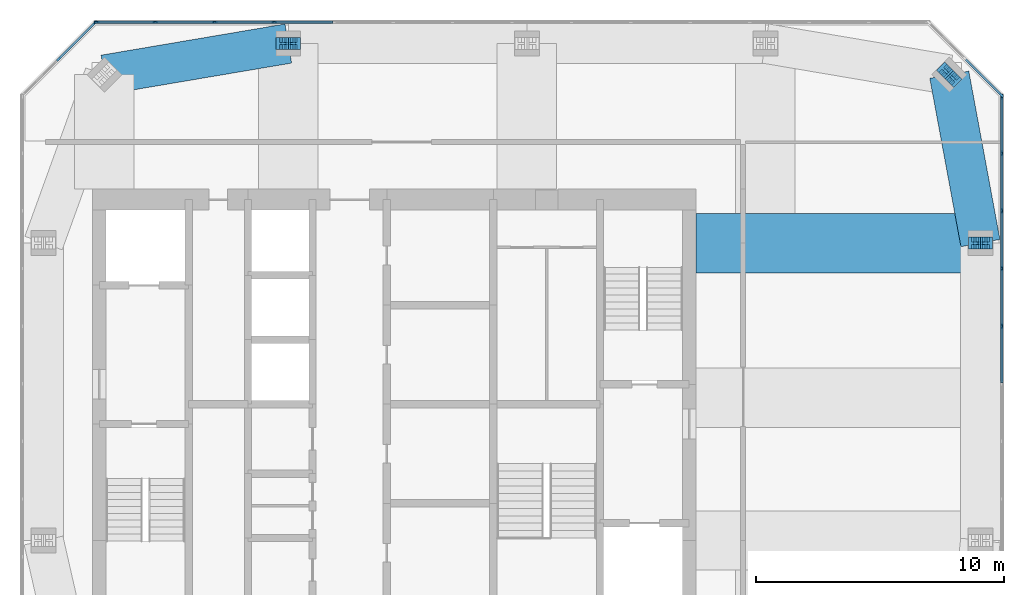
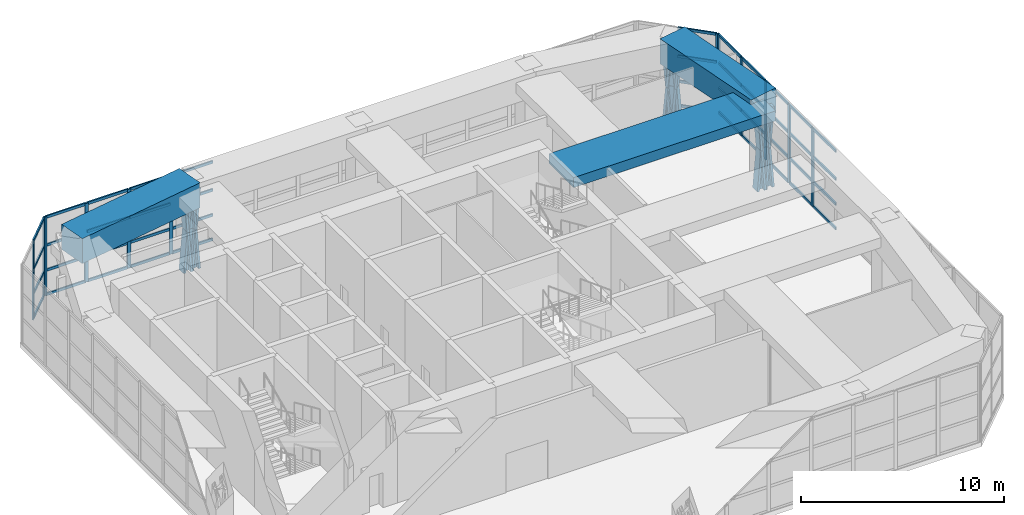
# One storey, part 6 of 14: 68 members, 3 beams, 4 elements without a shape of their own.
"""IFC4 building model written with IfcOpenShell, lengths in metres."""

from ifc_helpers import new_model, si_unit, direction, frame, origin, origin_2d, place, context, subcontext, project, spatial, rectangle, i_section, extrude, material, material_profile, profile_set, type_object, element, aggregate, save


model = new_model("IFC4")

# Units and contexts
model_context = context("Model", 3, precision=1e-05, world=origin(), true_north=direction((0.0, 1.0)))
body_context = subcontext(model_context, "Body", "Model", "MODEL_VIEW")
ifc_project = project(units=[si_unit("LENGTHUNIT", "METRE"), si_unit("AREAUNIT", "SQUARE_METRE"), si_unit("VOLUMEUNIT", "CUBIC_METRE"), si_unit("PLANEANGLEUNIT", "RADIAN"), si_unit("MASSUNIT", "GRAM", prefix="KILO")], contexts=[model_context])

# Site, building, storey
site_placement = place(None, origin())
site = spatial("IfcSite", under=ifc_project, at=site_placement, CompositionType="ELEMENT")
building_placement = place(site_placement, origin())
building = spatial("IfcBuilding", under=site, at=building_placement, Name="Jalousie Tower", CompositionType="ELEMENT")
storey_placement = place(building_placement, frame((0.0, 0.0, 267.75)))
storey = spatial("IfcBuildingStorey", under=building, at=storey_placement, Name="L73", CompositionType="ELEMENT", Elevation=267.75)

# Curtain wall, members
ifc_material_1 = material(Name="Aluminium curtain wall", Category="aluminium")
curtain_wall_type = type_object("IfcCurtainWallType", Name="CROWN LOUVRE WALL", PredefinedType="USERDEFINED", material=ifc_material_1)
curtain_wall_1_placement = place(storey_placement, origin())
curtain_wall_1 = element("IfcCurtainWall", 1, at=curtain_wall_1_placement, inside=storey, type_object=curtain_wall_type, Name="Crown Louvre Wall L73 3", ObjectType="CROWN LOUVRE WALL", PredefinedType="USERDEFINED")
ifc_material_2 = material(Name="Aluminium mullion", Category="aluminium")
ifc_material_profile_1 = material_profile(ifc_material_2, rectangle(XDim=0.080078125, YDim=0.199951171875, at=origin_2d()), Name="MULLION 80x200")
ifc_profile_set_1 = profile_set([ifc_material_profile_1], Name="Aluminium mullion")
member_type_1 = type_object("IfcMemberType", Name="CROWN LOUVRE WALL MULLION", PredefinedType="MULLION", material=ifc_profile_set_1)
member_1_placement = place(storey_placement, frame((56.41259765625, 21.649658203125, 0.0), z_axis=(0.0, 0.0, 1.0), x_axis=(-1.0, 0.0, 0.0)))
member_1 = element("IfcMember", 2, at=member_1_placement, type_object=member_type_1, Name="CW-L mullion 9", PredefinedType="MULLION", context=body_context, shape_type="SweptSolid", body=[
    extrude(rectangle(XDim=0.080078125, YDim=0.199951171875, at=origin_2d()), origin(), (0.0, 0.0, 1.0), 4.719970703125),
])
member_2_placement = place(storey_placement, frame((56.41259765625, 23.974365234375, 0.0), z_axis=(0.0, 0.0, 1.0), x_axis=(-1.0, 0.0, 0.0)))
member_2 = element("IfcMember", 3, at=member_2_placement, type_object=member_type_1, Name="CW-L mullion 10", PredefinedType="MULLION", context=body_context, shape_type="SweptSolid", body=[
    extrude(rectangle(XDim=0.080078125, YDim=0.199951171875, at=origin_2d()), origin(), (0.0, 0.0, 1.0), 4.719970703125),
])
member_3_placement = place(storey_placement, frame((56.41259765625, 26.299072265625, 0.0), z_axis=(0.0, 0.0, 1.0), x_axis=(-1.0, 0.0, 0.0)))
member_3 = element("IfcMember", 4, at=member_3_placement, type_object=member_type_1, Name="CW-L mullion 11", PredefinedType="MULLION", context=body_context, shape_type="SweptSolid", body=[
    extrude(rectangle(XDim=0.080078125, YDim=0.199951171875, at=origin_2d()), origin(), (0.0, 0.0, 1.0), 4.719970703125),
])
member_4_placement = place(storey_placement, frame((56.41259765625, 28.6240234375, 0.0), z_axis=(0.0, 0.0, 1.0), x_axis=(-1.0, 0.0, 0.0)))
member_4 = element("IfcMember", 5, at=member_4_placement, type_object=member_type_1, Name="CW-L mullion 12", PredefinedType="MULLION", context=body_context, shape_type="SweptSolid", body=[
    extrude(rectangle(XDim=0.080078125, YDim=0.199951171875, at=origin_2d()), origin(), (0.0, 0.0, 1.0), 4.719970703125),
])
member_5_placement = place(storey_placement, frame((56.41259765625, 30.90869140625, 0.0), z_axis=(0.0, 0.0, 1.0), x_axis=(-1.0, 0.0, 0.0)))
member_5 = element("IfcMember", 6, at=member_5_placement, type_object=member_type_1, Name="CW-L mullion 13", PredefinedType="MULLION", context=body_context, shape_type="SweptSolid", body=[
    extrude(rectangle(XDim=0.080078125, YDim=0.199951171875, at=origin_2d()), origin(), (0.0, 0.0, 1.0), 4.719970703125),
])

# Curtain wall, member
curtain_wall_2_placement = place(storey_placement, origin())
curtain_wall_2 = element("IfcCurtainWall", 7, at=curtain_wall_2_placement, inside=storey, type_object=curtain_wall_type, Name="Crown Louvre Wall L73 4", ObjectType="CROWN LOUVRE WALL", PredefinedType="USERDEFINED")
member_6_placement = place(storey_placement, frame((56.38427734375, 30.97705078125, 0.0), z_axis=(0.0, 0.0, 1.0), x_axis=(-0.707106781187, -0.707106781187, 0.0)))
member_6 = element("IfcMember", 8, at=member_6_placement, type_object=member_type_1, Name="CW-L mullion 1", PredefinedType="MULLION", context=body_context, shape_type="SweptSolid", body=[
    extrude(rectangle(XDim=0.080078125, YDim=0.199951171875, at=origin_2d()), origin(), (0.0, 0.0, 1.0), 4.719970703125),
])

# Curtain wall, members
curtain_wall_3_placement = place(storey_placement, origin())
curtain_wall_3 = element("IfcCurtainWall", 9, at=curtain_wall_3_placement, inside=storey, type_object=curtain_wall_type, Name="Crown Louvre Wall L73 5", ObjectType="CROWN LOUVRE WALL", PredefinedType="USERDEFINED")
member_7_placement = place(storey_placement, frame((27.05078125, 33.91259765625, 0.0), z_axis=(0.0, 0.0, 1.0), x_axis=(0.0, -1.0, 0.0)))
member_7 = element("IfcMember", 10, at=member_7_placement, type_object=member_type_1, Name="CW-L mullion 12", PredefinedType="MULLION", context=body_context, shape_type="SweptSolid", body=[
    extrude(rectangle(XDim=0.080078125, YDim=0.199951171875, at=origin_2d()), origin(), (0.0, 0.0, 1.0), 4.719970703125),
])
member_8_placement = place(storey_placement, frame((24.65087890625, 33.91259765625, 0.0), z_axis=(0.0, 0.0, 1.0), x_axis=(0.0, -1.0, 0.0)))
member_8 = element("IfcMember", 11, at=member_8_placement, type_object=member_type_1, Name="CW-L mullion 13", PredefinedType="MULLION", context=body_context, shape_type="SweptSolid", body=[
    extrude(rectangle(XDim=0.080078125, YDim=0.199951171875, at=origin_2d()), origin(), (0.0, 0.0, 1.0), 4.719970703125),
])
member_9_placement = place(storey_placement, frame((22.251220703125, 33.91259765625, 0.0), z_axis=(0.0, 0.0, 1.0), x_axis=(0.0, -1.0, 0.0)))
member_9 = element("IfcMember", 12, at=member_9_placement, type_object=member_type_1, Name="CW-L mullion 14", PredefinedType="MULLION", context=body_context, shape_type="SweptSolid", body=[
    extrude(rectangle(XDim=0.080078125, YDim=0.199951171875, at=origin_2d()), origin(), (0.0, 0.0, 1.0), 4.719970703125),
])
member_10_placement = place(storey_placement, frame((19.891357421875, 33.91259765625, 0.0), z_axis=(0.0, 0.0, 1.0), x_axis=(0.0, -1.0, 0.0)))
member_10 = element("IfcMember", 13, at=member_10_placement, type_object=member_type_1, Name="CW-L mullion 15", PredefinedType="MULLION", context=body_context, shape_type="SweptSolid", body=[
    extrude(rectangle(XDim=0.080078125, YDim=0.199951171875, at=origin_2d()), origin(), (0.0, 0.0, 1.0), 4.719970703125),
])

curtain_wall_4_placement = place(storey_placement, origin())
curtain_wall_4 = element("IfcCurtainWall", 14, at=curtain_wall_4_placement, inside=storey, type_object=curtain_wall_type, Name="Crown Louvre Wall L73 6", ObjectType="CROWN LOUVRE WALL", PredefinedType="USERDEFINED")
member_11_placement = place(storey_placement, frame((19.822998046875, 33.88427734375, 0.0), z_axis=(0.0, 0.0, 1.0), x_axis=(0.707106781187, -0.707106781187, 0.0)))
member_11 = element("IfcMember", 15, at=member_11_placement, type_object=member_type_1, Name="CW-L mullion 1", PredefinedType="MULLION", context=body_context, shape_type="SweptSolid", body=[
    extrude(rectangle(XDim=0.080078125, YDim=0.199951171875, at=origin_2d()), origin(), (0.0, 0.0, 1.0), 4.719970703125),
])
member_12_placement = place(storey_placement, frame((18.369384765625, 32.4306640625, 0.0), z_axis=(0.0, 0.0, 1.0), x_axis=(0.707106781187, -0.707106781187, 0.0)))
member_12 = element("IfcMember", 16, at=member_12_placement, type_object=member_type_1, Name="CW-L mullion 2", PredefinedType="MULLION", context=body_context, shape_type="SweptSolid", body=[
    extrude(rectangle(XDim=0.080078125, YDim=0.199951171875, at=origin_2d()), origin(), (0.0, 0.0, 1.0), 4.719970703125),
])

# Member
ifc_material_3 = material(Name="Aluminium transom", Category="aluminium")
ifc_material_profile_2 = material_profile(ifc_material_3, rectangle(XDim=0.080078125, YDim=0.159912109375, at=origin_2d()), Name="TRANSOM 80x160")
ifc_profile_set_2 = profile_set([ifc_material_profile_2], Name="Aluminium transom")
member_type_2 = type_object("IfcMemberType", Name="CROWN LOUVRE WALL TRANSOM", PredefinedType="USERDEFINED", material=ifc_profile_set_2)
member_13_placement = place(storey_placement, frame((56.41259765625, 19.36474609375, 0.0400390625), z_axis=(0.0, 1.0, 0.0), x_axis=(-1.0, 0.0, 0.0)))
member_13 = element("IfcMember", 17, at=member_13_placement, type_object=member_type_2, Name="CW-L transom 8.1", ObjectType="TRANSOM", PredefinedType="USERDEFINED", context=body_context, shape_type="SweptSolid", body=[
    extrude(rectangle(XDim=0.080078125, YDim=0.159912109375, at=origin_2d()), origin(), (0.0, 0.0, 1.0), 2.244873046875),
])

member_14_placement = place(storey_placement, frame((56.41259765625, 19.36474609375, 1.5), z_axis=(0.0, 1.0, 0.0), x_axis=(-1.0, 0.0, 0.0)))
member_14 = element("IfcMember", 18, at=member_14_placement, type_object=member_type_2, Name="CW-L transom 8.2", ObjectType="TRANSOM", PredefinedType="USERDEFINED", context=body_context, shape_type="SweptSolid", body=[
    extrude(rectangle(XDim=0.080078125, YDim=0.159912109375, at=origin_2d()), origin(), (0.0, 0.0, 1.0), 2.244873046875),
])

member_15_placement = place(storey_placement, frame((56.41259765625, 19.36474609375, 3.0), z_axis=(0.0, 1.0, 0.0), x_axis=(-1.0, 0.0, 0.0)))
member_15 = element("IfcMember", 19, at=member_15_placement, type_object=member_type_2, Name="CW-L transom 8.3", ObjectType="TRANSOM", PredefinedType="USERDEFINED", context=body_context, shape_type="SweptSolid", body=[
    extrude(rectangle(XDim=0.080078125, YDim=0.159912109375, at=origin_2d()), origin(), (0.0, 0.0, 1.0), 2.244873046875),
])

member_16_placement = place(storey_placement, frame((56.41259765625, 19.36474609375, 4.679931640625), z_axis=(0.0, 1.0, 0.0), x_axis=(-1.0, 0.0, 0.0)))
member_16 = element("IfcMember", 20, at=member_16_placement, type_object=member_type_2, Name="CW-L transom 8.4", ObjectType="TRANSOM", PredefinedType="USERDEFINED", context=body_context, shape_type="SweptSolid", body=[
    extrude(rectangle(XDim=0.080078125, YDim=0.159912109375, at=origin_2d()), origin(), (0.0, 0.0, 1.0), 2.244873046875),
])

member_17_placement = place(storey_placement, frame((56.41259765625, 21.689453125, 0.0400390625), z_axis=(0.0, 1.0, 0.0), x_axis=(-1.0, 0.0, 0.0)))
member_17 = element("IfcMember", 21, at=member_17_placement, type_object=member_type_2, Name="CW-L transom 9.1", ObjectType="TRANSOM", PredefinedType="USERDEFINED", context=body_context, shape_type="SweptSolid", body=[
    extrude(rectangle(XDim=0.080078125, YDim=0.159912109375, at=origin_2d()), origin(), (0.0, 0.0, 1.0), 2.244873046875),
])

member_18_placement = place(storey_placement, frame((56.41259765625, 21.689453125, 1.5), z_axis=(0.0, 1.0, 0.0), x_axis=(-1.0, 0.0, 0.0)))
member_18 = element("IfcMember", 22, at=member_18_placement, type_object=member_type_2, Name="CW-L transom 9.2", ObjectType="TRANSOM", PredefinedType="USERDEFINED", context=body_context, shape_type="SweptSolid", body=[
    extrude(rectangle(XDim=0.080078125, YDim=0.159912109375, at=origin_2d()), origin(), (0.0, 0.0, 1.0), 2.244873046875),
])

member_19_placement = place(storey_placement, frame((56.41259765625, 21.689453125, 3.0), z_axis=(0.0, 1.0, 0.0), x_axis=(-1.0, 0.0, 0.0)))
member_19 = element("IfcMember", 23, at=member_19_placement, type_object=member_type_2, Name="CW-L transom 9.3", ObjectType="TRANSOM", PredefinedType="USERDEFINED", context=body_context, shape_type="SweptSolid", body=[
    extrude(rectangle(XDim=0.080078125, YDim=0.159912109375, at=origin_2d()), origin(), (0.0, 0.0, 1.0), 2.244873046875),
])

member_20_placement = place(storey_placement, frame((56.41259765625, 21.689453125, 4.679931640625), z_axis=(0.0, 1.0, 0.0), x_axis=(-1.0, 0.0, 0.0)))
member_20 = element("IfcMember", 24, at=member_20_placement, type_object=member_type_2, Name="CW-L transom 9.4", ObjectType="TRANSOM", PredefinedType="USERDEFINED", context=body_context, shape_type="SweptSolid", body=[
    extrude(rectangle(XDim=0.080078125, YDim=0.159912109375, at=origin_2d()), origin(), (0.0, 0.0, 1.0), 2.244873046875),
])

member_21_placement = place(storey_placement, frame((56.41259765625, 24.014404296875, 0.0400390625), z_axis=(0.0, 1.0, 0.0), x_axis=(-1.0, 0.0, 0.0)))
member_21 = element("IfcMember", 25, at=member_21_placement, type_object=member_type_2, Name="CW-L transom 10.1", ObjectType="TRANSOM", PredefinedType="USERDEFINED", context=body_context, shape_type="SweptSolid", body=[
    extrude(rectangle(XDim=0.080078125, YDim=0.159912109375, at=origin_2d()), origin(), (0.0, 0.0, 1.0), 2.24462890625),
])

member_22_placement = place(storey_placement, frame((56.41259765625, 24.014404296875, 1.5), z_axis=(0.0, 1.0, 0.0), x_axis=(-1.0, 0.0, 0.0)))
member_22 = element("IfcMember", 26, at=member_22_placement, type_object=member_type_2, Name="CW-L transom 10.2", ObjectType="TRANSOM", PredefinedType="USERDEFINED", context=body_context, shape_type="SweptSolid", body=[
    extrude(rectangle(XDim=0.080078125, YDim=0.159912109375, at=origin_2d()), origin(), (0.0, 0.0, 1.0), 2.24462890625),
])

member_23_placement = place(storey_placement, frame((56.41259765625, 24.014404296875, 3.0), z_axis=(0.0, 1.0, 0.0), x_axis=(-1.0, 0.0, 0.0)))
member_23 = element("IfcMember", 27, at=member_23_placement, type_object=member_type_2, Name="CW-L transom 10.3", ObjectType="TRANSOM", PredefinedType="USERDEFINED", context=body_context, shape_type="SweptSolid", body=[
    extrude(rectangle(XDim=0.080078125, YDim=0.159912109375, at=origin_2d()), origin(), (0.0, 0.0, 1.0), 2.24462890625),
])

member_24_placement = place(storey_placement, frame((56.41259765625, 24.014404296875, 4.679931640625), z_axis=(0.0, 1.0, 0.0), x_axis=(-1.0, 0.0, 0.0)))
member_24 = element("IfcMember", 28, at=member_24_placement, type_object=member_type_2, Name="CW-L transom 10.4", ObjectType="TRANSOM", PredefinedType="USERDEFINED", context=body_context, shape_type="SweptSolid", body=[
    extrude(rectangle(XDim=0.080078125, YDim=0.159912109375, at=origin_2d()), origin(), (0.0, 0.0, 1.0), 2.24462890625),
])

member_25_placement = place(storey_placement, frame((56.41259765625, 26.339111328125, 0.0400390625), z_axis=(0.0, 1.0, 0.0), x_axis=(-1.0, 0.0, 0.0)))
member_25 = element("IfcMember", 29, at=member_25_placement, type_object=member_type_2, Name="CW-L transom 11.1", ObjectType="TRANSOM", PredefinedType="USERDEFINED", context=body_context, shape_type="SweptSolid", body=[
    extrude(rectangle(XDim=0.080078125, YDim=0.159912109375, at=origin_2d()), origin(), (0.0, 0.0, 1.0), 2.244873046875),
])

member_26_placement = place(storey_placement, frame((56.41259765625, 26.339111328125, 1.5), z_axis=(0.0, 1.0, 0.0), x_axis=(-1.0, 0.0, 0.0)))
member_26 = element("IfcMember", 30, at=member_26_placement, type_object=member_type_2, Name="CW-L transom 11.2", ObjectType="TRANSOM", PredefinedType="USERDEFINED", context=body_context, shape_type="SweptSolid", body=[
    extrude(rectangle(XDim=0.080078125, YDim=0.159912109375, at=origin_2d()), origin(), (0.0, 0.0, 1.0), 2.244873046875),
])

member_27_placement = place(storey_placement, frame((56.41259765625, 26.339111328125, 3.0), z_axis=(0.0, 1.0, 0.0), x_axis=(-1.0, 0.0, 0.0)))
member_27 = element("IfcMember", 31, at=member_27_placement, type_object=member_type_2, Name="CW-L transom 11.3", ObjectType="TRANSOM", PredefinedType="USERDEFINED", context=body_context, shape_type="SweptSolid", body=[
    extrude(rectangle(XDim=0.080078125, YDim=0.159912109375, at=origin_2d()), origin(), (0.0, 0.0, 1.0), 2.244873046875),
])

member_28_placement = place(storey_placement, frame((56.41259765625, 26.339111328125, 4.679931640625), z_axis=(0.0, 1.0, 0.0), x_axis=(-1.0, 0.0, 0.0)))
member_28 = element("IfcMember", 32, at=member_28_placement, type_object=member_type_2, Name="CW-L transom 11.4", ObjectType="TRANSOM", PredefinedType="USERDEFINED", context=body_context, shape_type="SweptSolid", body=[
    extrude(rectangle(XDim=0.080078125, YDim=0.159912109375, at=origin_2d()), origin(), (0.0, 0.0, 1.0), 2.244873046875),
])

member_29_placement = place(storey_placement, frame((56.41259765625, 28.663818359375, 0.0400390625), z_axis=(0.0, 1.0, 0.0), x_axis=(-1.0, 0.0, 0.0)))
member_29 = element("IfcMember", 33, at=member_29_placement, type_object=member_type_2, Name="CW-L transom 12.1", ObjectType="TRANSOM", PredefinedType="USERDEFINED", context=body_context, shape_type="SweptSolid", body=[
    extrude(rectangle(XDim=0.080078125, YDim=0.159912109375, at=origin_2d()), origin(), (0.0, 0.0, 1.0), 2.204833984375),
])

member_30_placement = place(storey_placement, frame((56.41259765625, 28.663818359375, 1.5), z_axis=(0.0, 1.0, 0.0), x_axis=(-1.0, 0.0, 0.0)))
member_30 = element("IfcMember", 34, at=member_30_placement, type_object=member_type_2, Name="CW-L transom 12.2", ObjectType="TRANSOM", PredefinedType="USERDEFINED", context=body_context, shape_type="SweptSolid", body=[
    extrude(rectangle(XDim=0.080078125, YDim=0.159912109375, at=origin_2d()), origin(), (0.0, 0.0, 1.0), 2.204833984375),
])

member_31_placement = place(storey_placement, frame((56.41259765625, 28.663818359375, 3.0), z_axis=(0.0, 1.0, 0.0), x_axis=(-1.0, 0.0, 0.0)))
member_31 = element("IfcMember", 35, at=member_31_placement, type_object=member_type_2, Name="CW-L transom 12.3", ObjectType="TRANSOM", PredefinedType="USERDEFINED", context=body_context, shape_type="SweptSolid", body=[
    extrude(rectangle(XDim=0.080078125, YDim=0.159912109375, at=origin_2d()), origin(), (0.0, 0.0, 1.0), 2.204833984375),
])

member_32_placement = place(storey_placement, frame((56.41259765625, 28.663818359375, 4.679931640625), z_axis=(0.0, 1.0, 0.0), x_axis=(-1.0, 0.0, 0.0)))
member_32 = element("IfcMember", 36, at=member_32_placement, type_object=member_type_2, Name="CW-L transom 12.4", ObjectType="TRANSOM", PredefinedType="USERDEFINED", context=body_context, shape_type="SweptSolid", body=[
    extrude(rectangle(XDim=0.080078125, YDim=0.159912109375, at=origin_2d()), origin(), (0.0, 0.0, 1.0), 2.204833984375),
])

aggregate(curtain_wall_1, [member_1, member_2, member_3, member_4, member_5, member_13, member_14, member_15, member_16, member_17, member_18, member_19, member_20, member_21, member_22, member_23, member_24, member_25, member_26, member_27, member_28, member_29, member_30, member_31, member_32])

member_33_placement = place(storey_placement, frame((56.35595703125, 31.00537109375, 0.0400390625), z_axis=(-0.707106781187, 0.707106781187, 0.0), x_axis=(-0.707106781187, -0.707106781187, 0.0)))
member_33 = element("IfcMember", 37, at=member_33_placement, type_object=member_type_2, Name="CW-L transom 1.1", ObjectType="TRANSOM", PredefinedType="USERDEFINED", context=body_context, shape_type="SweptSolid", body=[
    extrude(rectangle(XDim=0.080078125, YDim=0.159912109375, at=origin_2d()), origin(), (0.0, 0.0, 1.0), 1.9755859375),
])

member_34_placement = place(storey_placement, frame((56.35595703125, 31.00537109375, 1.5), z_axis=(-0.707106781187, 0.707106781187, 0.0), x_axis=(-0.707106781187, -0.707106781187, 0.0)))
member_34 = element("IfcMember", 38, at=member_34_placement, type_object=member_type_2, Name="CW-L transom 1.2", ObjectType="TRANSOM", PredefinedType="USERDEFINED", context=body_context, shape_type="SweptSolid", body=[
    extrude(rectangle(XDim=0.080078125, YDim=0.159912109375, at=origin_2d()), origin(), (0.0, 0.0, 1.0), 1.9755859375),
])

member_35_placement = place(storey_placement, frame((56.35595703125, 31.00537109375, 3.0), z_axis=(-0.707106781187, 0.707106781187, 0.0), x_axis=(-0.707106781187, -0.707106781187, 0.0)))
member_35 = element("IfcMember", 39, at=member_35_placement, type_object=member_type_2, Name="CW-L transom 1.3", ObjectType="TRANSOM", PredefinedType="USERDEFINED", context=body_context, shape_type="SweptSolid", body=[
    extrude(rectangle(XDim=0.080078125, YDim=0.159912109375, at=origin_2d()), origin(), (0.0, 0.0, 1.0), 1.9755859375),
])

member_36_placement = place(storey_placement, frame((56.35595703125, 31.00537109375, 4.679931640625), z_axis=(-0.707106781187, 0.707106781187, 0.0), x_axis=(-0.707106781187, -0.707106781187, 0.0)))
member_36 = element("IfcMember", 40, at=member_36_placement, type_object=member_type_2, Name="CW-L transom 1.4", ObjectType="TRANSOM", PredefinedType="USERDEFINED", context=body_context, shape_type="SweptSolid", body=[
    extrude(rectangle(XDim=0.080078125, YDim=0.159912109375, at=origin_2d()), origin(), (0.0, 0.0, 1.0), 1.9755859375),
])

aggregate(curtain_wall_2, [member_6, member_33, member_34, member_35, member_36])

member_37_placement = place(storey_placement, frame((29.41064453125, 33.91259765625, 0.0400390625), z_axis=(-1.0, 0.0, 0.0), x_axis=(0.0, -1.0, 0.0)))
member_37 = element("IfcMember", 41, at=member_37_placement, type_object=member_type_2, Name="CW-L transom 11.1", ObjectType="TRANSOM", PredefinedType="USERDEFINED", context=body_context, shape_type="SweptSolid", body=[
    extrude(rectangle(XDim=0.080078125, YDim=0.159912109375, at=origin_2d()), origin(), (0.0, 0.0, 1.0), 2.31982421875),
])

member_38_placement = place(storey_placement, frame((29.41064453125, 33.91259765625, 1.5), z_axis=(-1.0, 0.0, 0.0), x_axis=(0.0, -1.0, 0.0)))
member_38 = element("IfcMember", 42, at=member_38_placement, type_object=member_type_2, Name="CW-L transom 11.2", ObjectType="TRANSOM", PredefinedType="USERDEFINED", context=body_context, shape_type="SweptSolid", body=[
    extrude(rectangle(XDim=0.080078125, YDim=0.159912109375, at=origin_2d()), origin(), (0.0, 0.0, 1.0), 2.31982421875),
])

member_39_placement = place(storey_placement, frame((29.41064453125, 33.91259765625, 3.0), z_axis=(-1.0, 0.0, 0.0), x_axis=(0.0, -1.0, 0.0)))
member_39 = element("IfcMember", 43, at=member_39_placement, type_object=member_type_2, Name="CW-L transom 11.3", ObjectType="TRANSOM", PredefinedType="USERDEFINED", context=body_context, shape_type="SweptSolid", body=[
    extrude(rectangle(XDim=0.080078125, YDim=0.159912109375, at=origin_2d()), origin(), (0.0, 0.0, 1.0), 2.31982421875),
])

member_40_placement = place(storey_placement, frame((29.41064453125, 33.91259765625, 4.679931640625), z_axis=(-1.0, 0.0, 0.0), x_axis=(0.0, -1.0, 0.0)))
member_40 = element("IfcMember", 44, at=member_40_placement, type_object=member_type_2, Name="CW-L transom 11.4", ObjectType="TRANSOM", PredefinedType="USERDEFINED", context=body_context, shape_type="SweptSolid", body=[
    extrude(rectangle(XDim=0.080078125, YDim=0.159912109375, at=origin_2d()), origin(), (0.0, 0.0, 1.0), 2.31982421875),
])

member_41_placement = place(storey_placement, frame((27.0107421875, 33.91259765625, 0.0400390625), z_axis=(-1.0, 0.0, 0.0), x_axis=(0.0, -1.0, 0.0)))
member_41 = element("IfcMember", 45, at=member_41_placement, type_object=member_type_2, Name="CW-L transom 12.1", ObjectType="TRANSOM", PredefinedType="USERDEFINED", context=body_context, shape_type="SweptSolid", body=[
    extrude(rectangle(XDim=0.080078125, YDim=0.159912109375, at=origin_2d()), origin(), (0.0, 0.0, 1.0), 2.31982421875),
])

member_42_placement = place(storey_placement, frame((27.0107421875, 33.91259765625, 1.5), z_axis=(-1.0, 0.0, 0.0), x_axis=(0.0, -1.0, 0.0)))
member_42 = element("IfcMember", 46, at=member_42_placement, type_object=member_type_2, Name="CW-L transom 12.2", ObjectType="TRANSOM", PredefinedType="USERDEFINED", context=body_context, shape_type="SweptSolid", body=[
    extrude(rectangle(XDim=0.080078125, YDim=0.159912109375, at=origin_2d()), origin(), (0.0, 0.0, 1.0), 2.31982421875),
])

member_43_placement = place(storey_placement, frame((27.0107421875, 33.91259765625, 3.0), z_axis=(-1.0, 0.0, 0.0), x_axis=(0.0, -1.0, 0.0)))
member_43 = element("IfcMember", 47, at=member_43_placement, type_object=member_type_2, Name="CW-L transom 12.3", ObjectType="TRANSOM", PredefinedType="USERDEFINED", context=body_context, shape_type="SweptSolid", body=[
    extrude(rectangle(XDim=0.080078125, YDim=0.159912109375, at=origin_2d()), origin(), (0.0, 0.0, 1.0), 2.31982421875),
])

member_44_placement = place(storey_placement, frame((27.0107421875, 33.91259765625, 4.679931640625), z_axis=(-1.0, 0.0, 0.0), x_axis=(0.0, -1.0, 0.0)))
member_44 = element("IfcMember", 48, at=member_44_placement, type_object=member_type_2, Name="CW-L transom 12.4", ObjectType="TRANSOM", PredefinedType="USERDEFINED", context=body_context, shape_type="SweptSolid", body=[
    extrude(rectangle(XDim=0.080078125, YDim=0.159912109375, at=origin_2d()), origin(), (0.0, 0.0, 1.0), 2.31982421875),
])

member_45_placement = place(storey_placement, frame((24.61083984375, 33.91259765625, 0.0400390625), z_axis=(-1.0, 0.0, 0.0), x_axis=(0.0, -1.0, 0.0)))
member_45 = element("IfcMember", 49, at=member_45_placement, type_object=member_type_2, Name="CW-L transom 13.1", ObjectType="TRANSOM", PredefinedType="USERDEFINED", context=body_context, shape_type="SweptSolid", body=[
    extrude(rectangle(XDim=0.080078125, YDim=0.159912109375, at=origin_2d()), origin(), (0.0, 0.0, 1.0), 2.31982421875),
])

member_46_placement = place(storey_placement, frame((24.61083984375, 33.91259765625, 1.5), z_axis=(-1.0, 0.0, 0.0), x_axis=(0.0, -1.0, 0.0)))
member_46 = element("IfcMember", 50, at=member_46_placement, type_object=member_type_2, Name="CW-L transom 13.2", ObjectType="TRANSOM", PredefinedType="USERDEFINED", context=body_context, shape_type="SweptSolid", body=[
    extrude(rectangle(XDim=0.080078125, YDim=0.159912109375, at=origin_2d()), origin(), (0.0, 0.0, 1.0), 2.31982421875),
])

member_47_placement = place(storey_placement, frame((24.61083984375, 33.91259765625, 3.0), z_axis=(-1.0, 0.0, 0.0), x_axis=(0.0, -1.0, 0.0)))
member_47 = element("IfcMember", 51, at=member_47_placement, type_object=member_type_2, Name="CW-L transom 13.3", ObjectType="TRANSOM", PredefinedType="USERDEFINED", context=body_context, shape_type="SweptSolid", body=[
    extrude(rectangle(XDim=0.080078125, YDim=0.159912109375, at=origin_2d()), origin(), (0.0, 0.0, 1.0), 2.31982421875),
])

member_48_placement = place(storey_placement, frame((24.61083984375, 33.91259765625, 4.679931640625), z_axis=(-1.0, 0.0, 0.0), x_axis=(0.0, -1.0, 0.0)))
member_48 = element("IfcMember", 52, at=member_48_placement, type_object=member_type_2, Name="CW-L transom 13.4", ObjectType="TRANSOM", PredefinedType="USERDEFINED", context=body_context, shape_type="SweptSolid", body=[
    extrude(rectangle(XDim=0.080078125, YDim=0.159912109375, at=origin_2d()), origin(), (0.0, 0.0, 1.0), 2.31982421875),
])

member_49_placement = place(storey_placement, frame((22.211181640625, 33.91259765625, 0.0400390625), z_axis=(-1.0, 0.0, 0.0), x_axis=(0.0, -1.0, 0.0)))
member_49 = element("IfcMember", 53, at=member_49_placement, type_object=member_type_2, Name="CW-L transom 14.1", ObjectType="TRANSOM", PredefinedType="USERDEFINED", context=body_context, shape_type="SweptSolid", body=[
    extrude(rectangle(XDim=0.080078125, YDim=0.159912109375, at=origin_2d()), origin(), (0.0, 0.0, 1.0), 2.27978515625),
])

member_50_placement = place(storey_placement, frame((22.211181640625, 33.91259765625, 1.5), z_axis=(-1.0, 0.0, 0.0), x_axis=(0.0, -1.0, 0.0)))
member_50 = element("IfcMember", 54, at=member_50_placement, type_object=member_type_2, Name="CW-L transom 14.2", ObjectType="TRANSOM", PredefinedType="USERDEFINED", context=body_context, shape_type="SweptSolid", body=[
    extrude(rectangle(XDim=0.080078125, YDim=0.159912109375, at=origin_2d()), origin(), (0.0, 0.0, 1.0), 2.27978515625),
])

member_51_placement = place(storey_placement, frame((22.211181640625, 33.91259765625, 3.0), z_axis=(-1.0, 0.0, 0.0), x_axis=(0.0, -1.0, 0.0)))
member_51 = element("IfcMember", 55, at=member_51_placement, type_object=member_type_2, Name="CW-L transom 14.3", ObjectType="TRANSOM", PredefinedType="USERDEFINED", context=body_context, shape_type="SweptSolid", body=[
    extrude(rectangle(XDim=0.080078125, YDim=0.159912109375, at=origin_2d()), origin(), (0.0, 0.0, 1.0), 2.27978515625),
])

member_52_placement = place(storey_placement, frame((22.211181640625, 33.91259765625, 4.679931640625), z_axis=(-1.0, 0.0, 0.0), x_axis=(0.0, -1.0, 0.0)))
member_52 = element("IfcMember", 56, at=member_52_placement, type_object=member_type_2, Name="CW-L transom 14.4", ObjectType="TRANSOM", PredefinedType="USERDEFINED", context=body_context, shape_type="SweptSolid", body=[
    extrude(rectangle(XDim=0.080078125, YDim=0.159912109375, at=origin_2d()), origin(), (0.0, 0.0, 1.0), 2.27978515625),
])

aggregate(curtain_wall_3, [member_7, member_8, member_9, member_10, member_37, member_38, member_39, member_40, member_41, member_42, member_43, member_44, member_45, member_46, member_47, member_48, member_49, member_50, member_51, member_52])

member_53_placement = place(storey_placement, frame((19.794677734375, 33.85595703125, 0.0400390625), z_axis=(-0.707106781187, -0.707106781187, 0.0), x_axis=(0.707106781187, -0.707106781187, 0.0)))
member_53 = element("IfcMember", 57, at=member_53_placement, type_object=member_type_2, Name="CW-L transom 1.1", ObjectType="TRANSOM", PredefinedType="USERDEFINED", context=body_context, shape_type="SweptSolid", body=[
    extrude(rectangle(XDim=0.080078125, YDim=0.159912109375, at=origin_2d()), origin(), (0.0, 0.0, 1.0), 1.9755859375),
])

member_54_placement = place(storey_placement, frame((19.794677734375, 33.85595703125, 1.5), z_axis=(-0.707106781187, -0.707106781187, 0.0), x_axis=(0.707106781187, -0.707106781187, 0.0)))
member_54 = element("IfcMember", 58, at=member_54_placement, type_object=member_type_2, Name="CW-L transom 1.2", ObjectType="TRANSOM", PredefinedType="USERDEFINED", context=body_context, shape_type="SweptSolid", body=[
    extrude(rectangle(XDim=0.080078125, YDim=0.159912109375, at=origin_2d()), origin(), (0.0, 0.0, 1.0), 1.9755859375),
])

member_55_placement = place(storey_placement, frame((19.794677734375, 33.85595703125, 3.0), z_axis=(-0.707106781187, -0.707106781187, 0.0), x_axis=(0.707106781187, -0.707106781187, 0.0)))
member_55 = element("IfcMember", 59, at=member_55_placement, type_object=member_type_2, Name="CW-L transom 1.3", ObjectType="TRANSOM", PredefinedType="USERDEFINED", context=body_context, shape_type="SweptSolid", body=[
    extrude(rectangle(XDim=0.080078125, YDim=0.159912109375, at=origin_2d()), origin(), (0.0, 0.0, 1.0), 1.9755859375),
])

member_56_placement = place(storey_placement, frame((19.794677734375, 33.85595703125, 4.679931640625), z_axis=(-0.707106781187, -0.707106781187, 0.0), x_axis=(0.707106781187, -0.707106781187, 0.0)))
member_56 = element("IfcMember", 60, at=member_56_placement, type_object=member_type_2, Name="CW-L transom 1.4", ObjectType="TRANSOM", PredefinedType="USERDEFINED", context=body_context, shape_type="SweptSolid", body=[
    extrude(rectangle(XDim=0.080078125, YDim=0.159912109375, at=origin_2d()), origin(), (0.0, 0.0, 1.0), 1.9755859375),
])

aggregate(curtain_wall_4, [member_11, member_12, member_53, member_54, member_55, member_56])

# Members
ifc_material_4 = material(Name="Steel ASTM A992 Grade 50", Category="steel")
ifc_material_profile_3 = material_profile(ifc_material_4, i_section(OverallWidth=0.472412109375, OverallDepth=0.5791015625, WebThickness=0.094970703125, FlangeThickness=0.1298828125, at=origin_2d()), Name="W14X808")
ifc_profile_set_3 = profile_set([ifc_material_profile_3], Name="Steel ASTM A992 Grade 50")
member_type_3 = type_object("IfcMemberType", Name="PERIMETER BRACE W14X808", PredefinedType="BRACE", material=ifc_profile_set_3)
for number, where, z_axis, x_axis, name in (
    (61, (55.35009765625, 25.0, -0.60009765625), (0.08217357985, 0.0, 0.996618032535), (0.0, 1.0, 0.0), "Perimeter brace 07 L73 part 1"),
    (62, (55.550048828125, 25.0, 1.824951171875), (0.08217357985, 0.0, 0.996618032535), (0.0, 1.0, 0.0), "Perimeter brace 07 L73 part 2"),
    (63, (55.75, 25.0, -0.60009765625), (-0.08217357985, 0.0, 0.996618032535), (0.0, -1.0, 0.0), "Perimeter brace 07 L73 part 3"),
    (64, (55.550048828125, 25.0, 1.824951171875), (-0.08217357985, 0.0, 0.996618032535), (0.0, -1.0, 0.0), "Perimeter brace 07 L73 part 4"),
    (65, (54.434326171875, 31.651611328125, -0.60009765625), (-0.058093491513, 0.058093491513, 0.996619432124), (-0.707106781187, -0.707106781187, 0.0), "Perimeter brace 08 L73 part 1"),
    (66, (54.29296875, 31.79296875, 1.824951171875), (-0.058093491513, 0.058093491513, 0.996619432124), (-0.707106781187, -0.707106781187, 0.0), "Perimeter brace 08 L73 part 2"),
    (67, (54.151611328125, 31.934326171875, -0.60009765625), (0.058093491513, -0.058093491513, 0.996619432124), (0.707106781187, 0.707106781187, 0.0), "Perimeter brace 08 L73 part 3"),
    (68, (54.29296875, 31.79296875, 1.824951171875), (0.058093491513, -0.058093491513, 0.996619432124), (0.707106781187, 0.707106781187, 0.0), "Perimeter brace 08 L73 part 4"),
    (69, (27.425048828125, 33.050048828125, -0.60009765625), (0.08217357985, 0.0, 0.996618032535), (0.0, 1.0, 0.0), "Perimeter brace 11 L73 part 1"),
    (70, (27.625, 33.050048828125, 1.824951171875), (0.08217357985, 0.0, 0.996618032535), (0.0, 1.0, 0.0), "Perimeter brace 11 L73 part 2"),
    (71, (27.824951171875, 33.050048828125, -0.60009765625), (-0.08217357985, 0.0, 0.996618032535), (0.0, -1.0, 0.0), "Perimeter brace 11 L73 part 3"),
    (72, (27.625, 33.050048828125, 1.824951171875), (-0.08217357985, 0.0, 0.996618032535), (0.0, -1.0, 0.0), "Perimeter brace 11 L73 part 4"),
):
    element("IfcMember", number, at=place(storey_placement, frame(where, z_axis=z_axis, x_axis=x_axis)), inside=storey, type_object=member_type_3, Name=name, PredefinedType="BRACE", context=body_context, shape_type="SweptSolid", body=[
        extrude(i_section(OverallWidth=0.472412109375, OverallDepth=0.5791015625, WebThickness=0.094970703125, FlangeThickness=0.1298828125, at=origin_2d()), origin(), (0.0, 0.0, 1.0), 2.433349609375),
    ])

# Beams
ifc_material_5 = material(Name="Concrete f'c 40 MPa", Category="concrete")
ifc_material_profile_4 = material_profile(ifc_material_5, rectangle(XDim=1.60009765625, YDim=1.5, at=origin_2d()), Name="RC 1600x1500")
ifc_profile_set_4 = profile_set([ifc_material_profile_4], Name="Concrete f'c 40 MPa")
beam_type_1 = type_object("IfcBeamType", Name="RC BEAM 1600x1500", PredefinedType="BEAM", material=ifc_profile_set_4)
beam_1_placement = place(storey_placement, frame((55.550048828125, 25.0, 4.25), z_axis=(-0.181966505593, 0.983304729391, 0.0), x_axis=(-0.983304729391, -0.181966505593, 0.0)))
element("IfcBeam", 73, at=beam_1_placement, inside=storey, type_object=beam_type_1, Name="Edge band beam 07-08 under L74", PredefinedType="BEAM", context=body_context, shape_type="SweptSolid", body=[
    extrude(rectangle(XDim=1.60009765625, YDim=1.5, at=origin_2d()), origin(), (0.0, 0.0, 1.0), 6.908203125),
])
beam_2_placement = place(storey_placement, frame((27.625, 33.050048828125, 4.25), z_axis=(-0.985942997446, -0.167082033105, 0.0), x_axis=(0.167082033105, -0.985942997446, 0.0)))
element("IfcBeam", 74, at=beam_2_placement, inside=storey, type_object=beam_type_1, Name="Edge band beam 11-12 under L74", PredefinedType="BEAM", context=body_context, shape_type="SweptSolid", body=[
    extrude(rectangle(XDim=1.60009765625, YDim=1.5, at=origin_2d()), origin(), (0.0, 0.0, 1.0), 7.523681640625),
])
ifc_material_6 = material(Name="Concrete f'c 40 MPa", Category="concrete")
ifc_material_profile_5 = material_profile(ifc_material_6, rectangle(XDim=2.39990234375, YDim=0.60009765625, at=origin_2d()), Name="RC 2400x600")
ifc_profile_set_5 = profile_set([ifc_material_profile_5], Name="Concrete f'c 40 MPa")
beam_type_2 = type_object("IfcBeamType", Name="RC BEAM 2400x600", PredefinedType="BEAM", material=ifc_profile_set_5)
beam_3_placement = place(storey_placement, frame((55.550048828125, 25.0, 4.419921875), z_axis=(-1.0, 0.0, 0.0), x_axis=(0.0, -1.0, 0.0)))
element("IfcBeam", 75, at=beam_3_placement, inside=storey, type_object=beam_type_2, Name="Floor band beam under L74", PredefinedType="BEAM", context=body_context, shape_type="SweptSolid", body=[
    extrude(rectangle(XDim=2.39990234375, YDim=0.60009765625, at=origin_2d()), origin(), (0.0, 0.0, 1.0), 11.47509765625),
])

save(model, "model.ifc")
